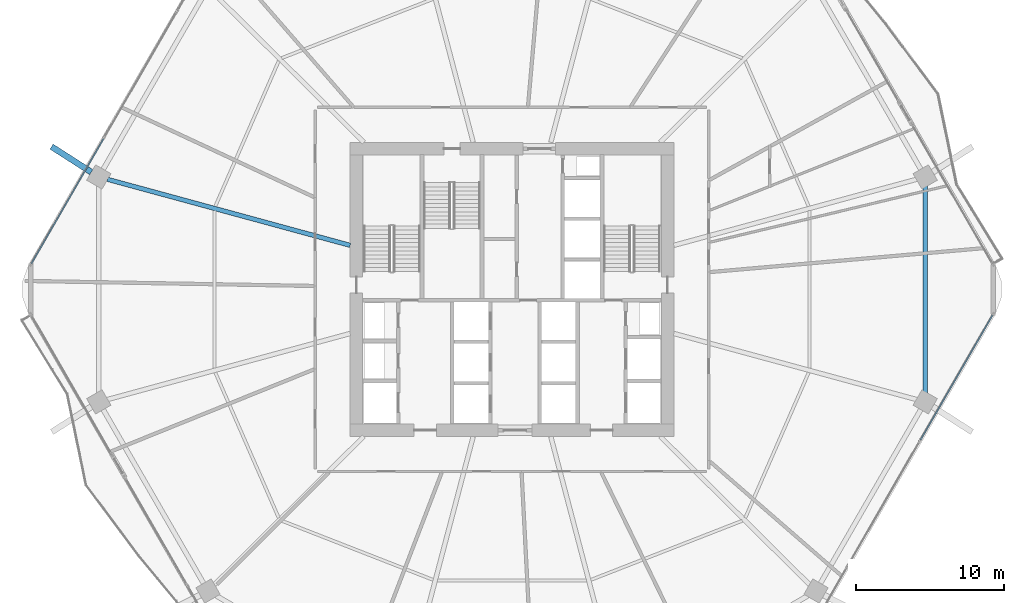
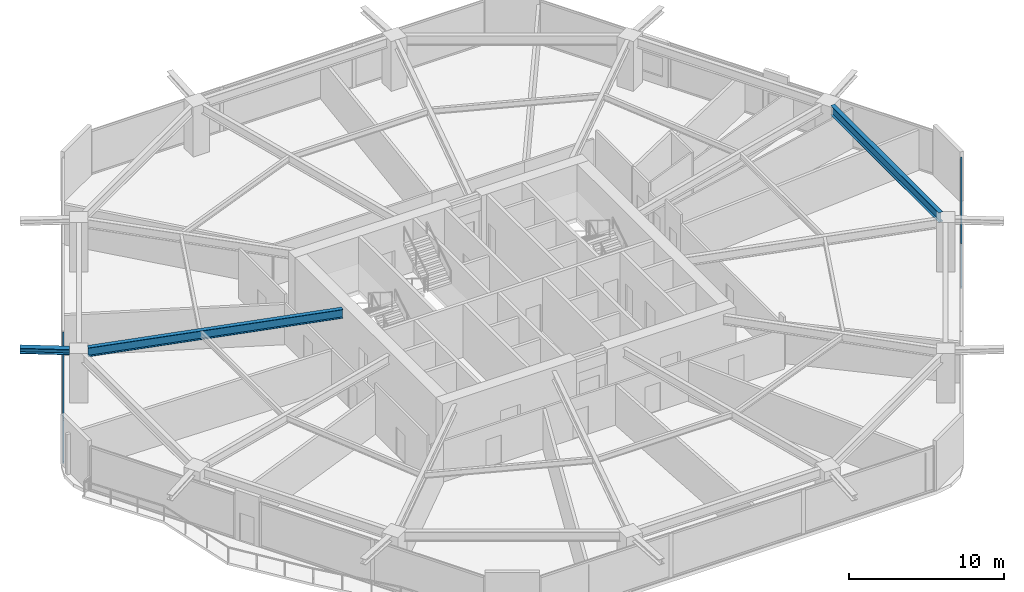
# One storey, part 12 of 27: 4 members, 3 beams, 2 elements without a shape of their own.
"""IFC4 building model written with IfcOpenShell, lengths in metres."""

from ifc_helpers import new_model, si_unit, direction, frame, origin, origin_2d, place, context, subcontext, project, spatial, hollow_rectangle, i_section, extrude, material, material_profile, profile_set, type_object, element, aggregate, save


model = new_model("IFC4")

# Units and contexts
model_context = context("Model", 3, precision=1e-05, world=origin(), true_north=direction((0.0, 1.0)))
body_context = subcontext(model_context, "Body", "Model", "MODEL_VIEW")
ifc_project = project(units=[si_unit("LENGTHUNIT", "METRE"), si_unit("AREAUNIT", "SQUARE_METRE"), si_unit("VOLUMEUNIT", "CUBIC_METRE"), si_unit("PLANEANGLEUNIT", "RADIAN"), si_unit("MASSUNIT", "GRAM", prefix="KILO")], contexts=[model_context])

# Site, building, storey
site_placement = place(None, origin())
site = spatial("IfcSite", under=ifc_project, at=site_placement, CompositionType="ELEMENT")
building_placement = place(site_placement, origin())
building = spatial("IfcBuilding", under=site, at=building_placement, Name="Zuhravey Tower", CompositionType="ELEMENT")
storey_placement = place(building_placement, frame((0.0, 0.0, 12.0)))
storey = spatial("IfcBuildingStorey", under=building, at=storey_placement, Name="L03", CompositionType="ELEMENT", Elevation=12.0)

# Curtain wall, members
ifc_material_1 = material(Name="Thermally broken anodised aluminium", Category="aluminium")
curtain_wall_type = type_object("IfcCurtainWallType", Name="School Low-E Unitised Curtain Wall CW1", PredefinedType="NOTDEFINED", material=ifc_material_1)
curtain_wall_1_placement = place(storey_placement, origin())
curtain_wall_1 = element("IfcCurtainWall", 1, at=curtain_wall_1_placement, inside=storey, type_object=curtain_wall_type, Name="L03 CW1 CW-L03-F6-1", PredefinedType="NOTDEFINED")
ifc_material_2 = material(Name="Anodised aluminium", Category="aluminium")
ifc_material_profile_1 = material_profile(ifc_material_2, hollow_rectangle(XDim=0.090087890625, YDim=0.14990234375, WallThickness=0.0048828125, at=origin_2d()), Name="ALU-RHS-90x150x5")
ifc_profile_set_1 = profile_set([ifc_material_profile_1], Name="Anodised aluminium")
member_type = type_object("IfcMemberType", Name="Curtain-Wall Transom 90x150", PredefinedType="USERDEFINED", material=ifc_profile_set_1)
member_1_placement = place(storey_placement, frame((68.43359375, 30.259521484375, 0.044921875), z_axis=(-0.500008393077, -0.866020557985, 0.0), x_axis=(0.866020557985, -0.500008393077, 0.0)))
member_1 = element("IfcMember", 2, at=member_1_placement, type_object=member_type, Name="CW1 transom 1.1", ObjectType="TRANSOM", PredefinedType="USERDEFINED", context=body_context, shape_type="SweptSolid", body=[
    extrude(hollow_rectangle(XDim=0.090087890625, YDim=0.14990234375, WallThickness=0.0048828125, at=origin_2d()), origin(), (0.0, 0.0, 1.0), 9.731201171875),
])
member_2_placement = place(storey_placement, frame((68.43359375, 30.259521484375, 3.447021484375), z_axis=(-0.500008393077, -0.866020557985, 0.0), x_axis=(0.866020557985, -0.500008393077, 0.0)))
member_2 = element("IfcMember", 3, at=member_2_placement, type_object=member_type, Name="CW1 transom 1.2", ObjectType="TRANSOM", PredefinedType="USERDEFINED", context=body_context, shape_type="SweptSolid", body=[
    extrude(hollow_rectangle(XDim=0.090087890625, YDim=0.14990234375, WallThickness=0.0048828125, at=origin_2d()), origin(), (0.0, 0.0, 1.0), 9.731201171875),
])
aggregate(curtain_wall_1, [member_1, member_2])

curtain_wall_2_placement = place(storey_placement, origin())
curtain_wall_2 = element("IfcCurtainWall", 4, at=curtain_wall_2_placement, inside=storey, type_object=curtain_wall_type, Name="L03 CW1 CW-L03-F3-1", PredefinedType="NOTDEFINED")
member_3_placement = place(storey_placement, frame((3.56640625, 33.740478515625, 0.044921875), z_axis=(0.500008393077, 0.866020557985, 0.0), x_axis=(-0.866020557985, 0.500008393077, 0.0)))
member_3 = element("IfcMember", 5, at=member_3_placement, type_object=member_type, Name="CW1 transom 1.1", ObjectType="TRANSOM", PredefinedType="USERDEFINED", context=body_context, shape_type="SweptSolid", body=[
    extrude(hollow_rectangle(XDim=0.090087890625, YDim=0.14990234375, WallThickness=0.0048828125, at=origin_2d()), origin(), (0.0, 0.0, 1.0), 9.731201171875),
])
member_4_placement = place(storey_placement, frame((3.56640625, 33.740478515625, 3.447021484375), z_axis=(0.500008393077, 0.866020557985, 0.0), x_axis=(-0.866020557985, 0.500008393077, 0.0)))
member_4 = element("IfcMember", 6, at=member_4_placement, type_object=member_type, Name="CW1 transom 1.2", ObjectType="TRANSOM", PredefinedType="USERDEFINED", context=body_context, shape_type="SweptSolid", body=[
    extrude(hollow_rectangle(XDim=0.090087890625, YDim=0.14990234375, WallThickness=0.0048828125, at=origin_2d()), origin(), (0.0, 0.0, 1.0), 9.731201171875),
])
aggregate(curtain_wall_2, [member_3, member_4])

# Beams
ifc_material_3 = material(Name="Steel SM460", Category="steel")
ifc_material_profile_2 = material_profile(ifc_material_3, i_section(OverallWidth=0.406982421875, OverallDepth=0.427978515625, WebThickness=0.02001953125, FlangeThickness=0.034912109375, at=origin_2d()), Name="H-428x407x20x35")
ifc_profile_set_2 = profile_set([ifc_material_profile_2], Name="Steel SM460")
beam_type_1 = type_object("IfcBeamType", Name="Exoskeleton Node Tie Beam H428x407", PredefinedType="BEAM", material=ifc_profile_set_2)
beam_1_placement = place(storey_placement, frame((7.601806640625, 39.91796875, 3.7060546875), z_axis=(-0.841939865808, 0.539571369109, 0.0), x_axis=(-0.539571369109, -0.841939865808, 0.0)))
element("IfcBeam", 7, at=beam_1_placement, inside=storey, type_object=beam_type_1, Name="L03 Exoskeleton Node Tie NT1-06", PredefinedType="BEAM", context=body_context, shape_type="SweptSolid", body=[
    extrude(i_section(OverallWidth=0.406982421875, OverallDepth=0.427978515625, WebThickness=0.02001953125, FlangeThickness=0.034912109375, at=origin_2d()), origin(), (0.0, 0.0, 1.0), 3.1845703125),
])
ifc_material_4 = material(Name="Steel SM355", Category="steel")
ifc_material_profile_3 = material_profile(ifc_material_4, i_section(OverallWidth=0.320068359375, OverallDepth=0.75, WebThickness=0.013916015625, FlangeThickness=0.02490234375, at=origin_2d()), Name="H-750x320x14x25")
ifc_profile_set_3 = profile_set([ifc_material_profile_3], Name="Steel SM355")
beam_type_2 = type_object("IfcBeamType", Name="Perimeter Ring Beam H750x320", PredefinedType="BEAM", material=ifc_profile_set_3)
beam_2_placement = place(storey_placement, frame((63.88916015625, 25.011474609375, 3.544921875), z_axis=(0.0, 1.0, 0.0), x_axis=(-1.0, 0.0, 0.0)))
element("IfcBeam", 8, at=beam_2_placement, inside=storey, type_object=beam_type_2, Name="L03 PB1 BM-L03-PB-12", PredefinedType="BEAM", context=body_context, shape_type="SweptSolid", body=[
    extrude(i_section(OverallWidth=0.320068359375, OverallDepth=0.75, WebThickness=0.013916015625, FlangeThickness=0.02490234375, at=origin_2d()), origin(), (0.0, 0.0, 1.0), 13.97705078125),
])
ifc_material_profile_4 = material_profile(ifc_material_4, i_section(OverallWidth=0.300048828125, OverallDepth=0.699951171875, WebThickness=0.012939453125, FlangeThickness=0.02392578125, at=origin_2d()), Name="H-700x300x13x24")
ifc_profile_set_4 = profile_set([ifc_material_profile_4], Name="Steel SM355")
beam_type_3 = type_object("IfcBeamType", Name="Radial Primary Girder H700x300", PredefinedType="BEAM", material=ifc_profile_set_4)
beam_3_placement = place(storey_placement, frame((25.072021484375, 34.974609375, 3.570068359375), z_axis=(-0.964892480455, 0.26264520015, 0.0), x_axis=(-0.26264520015, -0.964892480455, 0.0)))
element("IfcBeam", 9, at=beam_3_placement, inside=storey, type_object=beam_type_3, Name="L03 RG1 BM-L03-RAD-06", PredefinedType="BEAM", context=body_context, shape_type="SweptSolid", body=[
    extrude(i_section(OverallWidth=0.300048828125, OverallDepth=0.699951171875, WebThickness=0.012939453125, FlangeThickness=0.02392578125, at=origin_2d()), origin(), (0.0, 0.0, 1.0), 16.975341796875),
])

save(model, "model.ifc")
